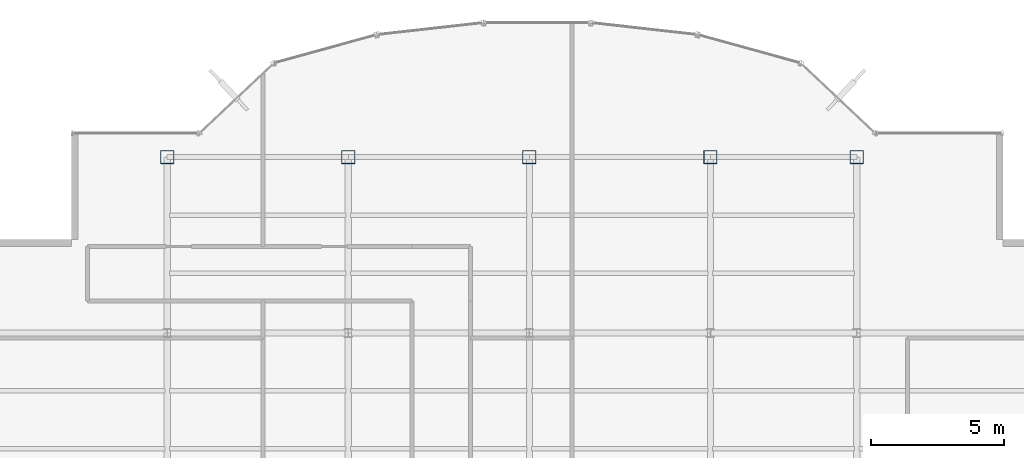
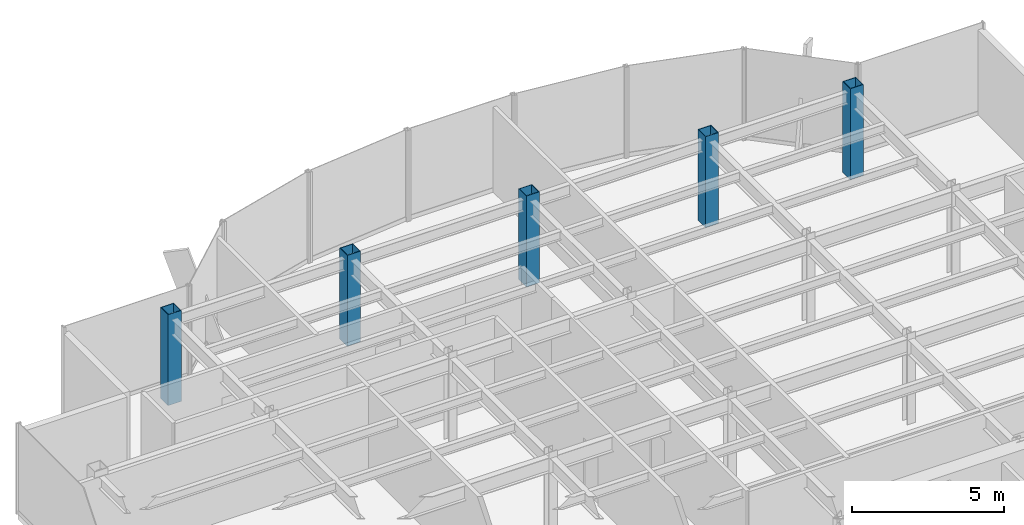
# One storey, part 2 of 22: 5 columns.
"""IFC4 building model written with IfcOpenShell, lengths in metres."""

from ifc_helpers import new_model, si_unit, derived_unit, direction, frame, origin, origin_2d, place, context, subcontext, project, spatial, hollow_rectangle, extrude, source, transform, mapped, material, material_profile, profile_set, type_object, element, save


model = new_model("IFC4")

# Units and contexts
model_context = context("Model", 3, precision=1e-05, world=origin(), true_north=direction((0.0, 1.0)))
body_context = subcontext(model_context, "Body", "Model", "MODEL_VIEW")
ifc_project = project(units=[si_unit("LENGTHUNIT", "METRE"), si_unit("AREAUNIT", "SQUARE_METRE"), si_unit("VOLUMEUNIT", "CUBIC_METRE"), si_unit("PLANEANGLEUNIT", "RADIAN"), si_unit("MASSUNIT", "GRAM", prefix="KILO"), derived_unit("THERMALTRANSMITTANCEUNIT", [(si_unit("POWERUNIT", "WATT"), 1), (si_unit("LENGTHUNIT", "METRE"), -2), (si_unit("THERMODYNAMICTEMPERATUREUNIT", "KELVIN"), -1)])], contexts=[model_context])

# Site, building, storey
site_placement = place(None, origin())
site = spatial("IfcSite", under=ifc_project, at=site_placement, CompositionType="ELEMENT")
building_placement = place(site_placement, origin())
building = spatial("IfcBuilding", under=site, at=building_placement, Name="Skarnbrae Concourse Arena and Tower", CompositionType="ELEMENT")
storey_placement = place(building_placement, frame((0.0, 0.0, 214.14990234375)))
storey = spatial("IfcBuildingStorey", under=building, at=storey_placement, Name="L55", CompositionType="ELEMENT", Elevation=214.14990234375)

# Columns
ifc_material = material(Name="Steel CSA G40.21 350W", Category="steel")
ifc_material_profile = material_profile(ifc_material, hollow_rectangle(XDim=0.5, YDim=0.5, WallThickness=0.02197265625, at=origin_2d()), Name="HSS500X500X22.0")
ifc_profile_set = profile_set([ifc_material_profile], Name="Steel CSA G40.21 350W")
column_type = type_object("IfcColumnType", Name="COL-TUBE-HSS500", PredefinedType="COLUMN", material=ifc_profile_set)
shared_shape = source(origin(), body_context, "Body", "SweptSolid", [
    extrude(hollow_rectangle(XDim=0.5, YDim=0.5, WallThickness=0.02197265625, at=origin_2d()), origin(), (0.0, 0.0, 1.0), 3.650146484375),
])
for number, where, z_axis, x_axis, name in (
    (1, (7.60009765625, 34.39990234375, 0.0), (0.0, 0.0, 1.0), (1.0, 0.0, 0.0), "L55 Tower column PC_02_05"),
    (2, (14.39990234375, 34.39990234375, 0.0), (0.0, 0.0, 1.0), (1.0, 0.0, 0.0), "L55 Tower column PC_03_05"),
    (3, (21.199951171875, 34.39990234375, 0.0), (0.0, 0.0, 1.0), (1.0, 0.0, 0.0), "L55 Tower column PC_04_05"),
    (4, (28.0, 34.39990234375, 0.0), (0.0, 0.0, 1.0), (1.0, 0.0, 0.0), "L55 Tower column PC_05_05"),
    (5, (33.5, 34.39990234375, 0.0), (0.0, 0.0, 1.0), (1.0, 0.0, 0.0), "L55 Tower column PC_06_05"),
):
    element("IfcColumn", number, at=place(storey_placement, frame(where, z_axis=z_axis, x_axis=x_axis)), inside=storey, type_object=column_type, Name=name, PredefinedType="COLUMN", context=body_context, shape_type="MappedRepresentation", body=[
        mapped(shared_shape, transform((0.0, 0.0, 0.0))),
    ])

save(model, "model.ifc")
